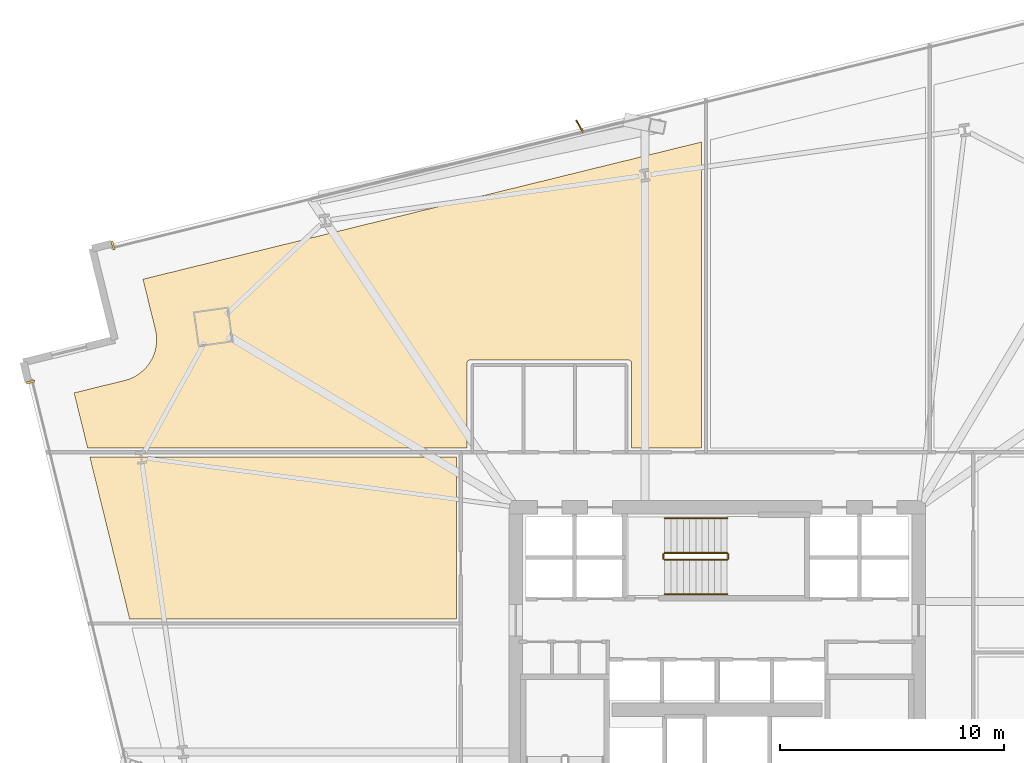
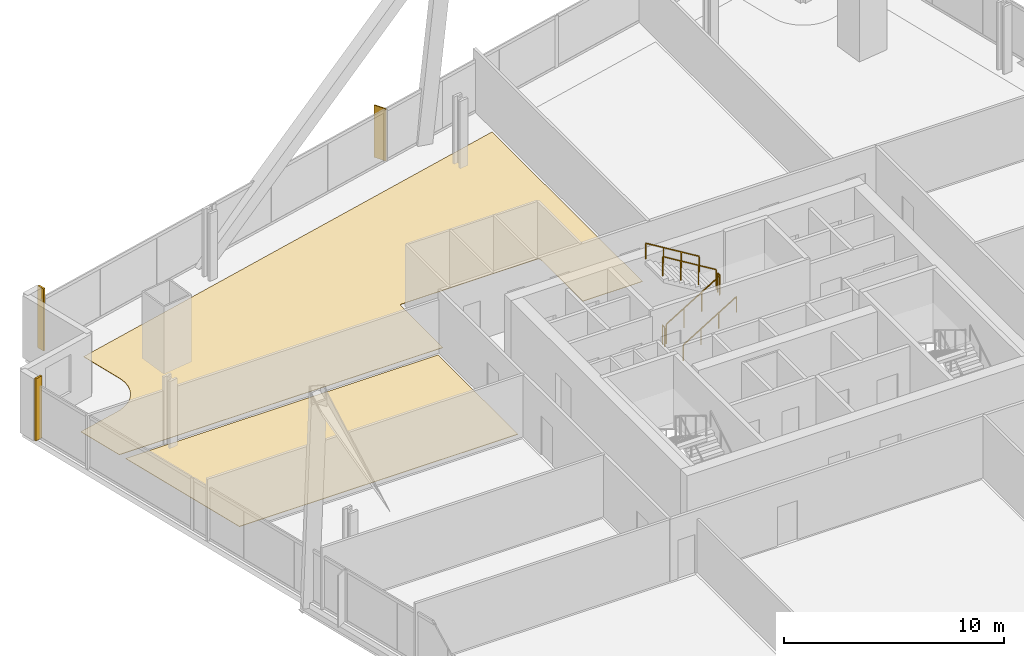
# One storey, part 31 of 32: 6 railings, 4 coverings, 1 shading device.
"""IFC4 building model written with IfcOpenShell, lengths in metres."""

from ifc_helpers import new_model, si_unit, direction, frame, origin, origin_2d, place, context, subcontext, project, spatial, polyline, rectangle, outline, extrude, source, transform, mapped, material, layer, layer_set, type_object, element, save


model = new_model("IFC4")

# Units and contexts
model_context = context("Model", 3, precision=1e-05, world=origin(), true_north=direction((0.0, 1.0)))
body_context = subcontext(model_context, "Body", "Model", "MODEL_VIEW")
ifc_project = project(units=[si_unit("LENGTHUNIT", "METRE"), si_unit("AREAUNIT", "SQUARE_METRE"), si_unit("VOLUMEUNIT", "CUBIC_METRE"), si_unit("PLANEANGLEUNIT", "RADIAN"), si_unit("MASSUNIT", "GRAM", prefix="KILO")], contexts=[model_context])

# Site, building, storey
site_placement = place(None, origin())
site = spatial("IfcSite", under=ifc_project, at=site_placement, CompositionType="ELEMENT")
building_placement = place(site_placement, origin())
building = spatial("IfcBuilding", under=site, at=building_placement, Name="Haldenkirk Collegiate Tower", CompositionType="ELEMENT")
storey_placement = place(building_placement, frame((0.0, 0.0, 73.949951171875)))
storey = spatial("IfcBuildingStorey", under=building, at=storey_placement, Name="L17", CompositionType="ELEMENT", Elevation=73.949951171875)

# Coverings
ifc_material_1 = material(Name="Polished collegiate terrazzo", Category="concrete")
ifc_layer_1 = layer(ifc_material_1, 0.02490234375)
ifc_layer_set_1 = layer_set([ifc_layer_1], Name="Polished collegiate terrazzo")
covering_type_1 = type_object("IfcCoveringType", Name="COV-FLOOR-TERRAZZO", PredefinedType="FLOORING", material=ifc_layer_set_1)
covering_1_placement = place(storey_placement, origin())
element("IfcCovering", 1, at=covering_1_placement, inside=storey, type_object=covering_type_1, Name="L17 academic room finish 10", PredefinedType="FLOORING", context=body_context, shape_type="SweptSolid", body=[
    extrude(outline(polyline([(7.9658203125, 36.25), (24.35009765625, 36.25), (24.35009765625, 29.0), (9.74658203125, 29.0), (7.9658203125, 36.25)])), origin(), (0.0, 0.0, 1.0), 0.025146484375),
])
ifc_material_2 = material(Name="Engineered collegiate oak acoustic flooring", Category="wood")
ifc_layer_2 = layer(ifc_material_2, 0.02197265625)
ifc_layer_set_2 = layer_set([ifc_layer_2], Name="Engineered collegiate oak acoustic flooring")
covering_type_2 = type_object("IfcCoveringType", Name="COV-FLOOR-TIMBER", PredefinedType="FLOORING", material=ifc_layer_set_2)
covering_2_placement = place(storey_placement, origin())
element("IfcCovering", 2, at=covering_2_placement, inside=storey, type_object=covering_type_2, Name="L17 academic room finish 05", PredefinedType="FLOORING", context=body_context, shape_type="SweptSolid", body=[
    extrude(outline(polyline([(9.527587890625, 39.659912109375), (9.533203125, 39.661376953125), (9.69775390625, 39.71044921875), (9.708984375, 39.71435546875), (9.867919921875, 39.779296875), (9.878662109375, 39.7841796875), (10.030517578125, 39.864501953125), (10.04052734375, 39.87060546875), (10.18359375, 39.96533203125), (10.193115234375, 39.972412109375), (10.326416015625, 40.080810546875), (10.335205078125, 40.088623046875), (10.457275390625, 40.20947265625), (10.465087890625, 40.21826171875), (10.57470703125, 40.350341796875), (10.581787109375, 40.35986328125), (10.677978515625, 40.502197265625), (10.68408203125, 40.51220703125), (10.765625, 40.6630859375), (10.7705078125, 40.673828125), (10.837158203125, 40.832275390625), (10.84130859375, 40.84326171875), (10.891845703125, 41.00732421875), (10.894775390625, 41.018798828125), (10.928955078125, 41.18701171875), (10.930908203125, 41.19873046875), (10.948486328125, 41.36962890625), (10.948974609375, 41.38134765625), (10.94970703125, 41.552978515625), (10.94921875, 41.56494140625), (10.93310546875, 41.73583984375), (10.931396484375, 41.747314453125), (10.898681640625, 41.916015625), (10.8974609375, 41.921875), (10.341796875, 44.1845703125), (35.300048828125, 50.31494140625), (35.300048828125, 36.64990234375), (32.169921875, 36.64990234375), (32.169921875, 40.449951171875), (32.16943359375, 40.4619140625), (32.167724609375, 40.473388671875), (32.164794921875, 40.48486328125), (32.160888671875, 40.495849609375), (32.15576171875, 40.506591796875), (32.14990234375, 40.5166015625), (32.142822265625, 40.526123046875), (32.135009765625, 40.534912109375), (32.126220703125, 40.542724609375), (32.11669921875, 40.5498046875), (32.106689453125, 40.555908203125), (32.095947265625, 40.560791015625), (32.084716796875, 40.564697265625), (32.073486328125, 40.567626953125), (32.061767578125, 40.5693359375), (32.050048828125, 40.570068359375), (24.949951171875, 40.570068359375), (24.938232421875, 40.5693359375), (24.926513671875, 40.567626953125), (24.915283203125, 40.564697265625), (24.904052734375, 40.560791015625), (24.893310546875, 40.555908203125), (24.88330078125, 40.5498046875), (24.873779296875, 40.542724609375), (24.864990234375, 40.534912109375), (24.857177734375, 40.526123046875), (24.85009765625, 40.5166015625), (24.84423828125, 40.506591796875), (24.839111328125, 40.495849609375), (24.835205078125, 40.48486328125), (24.832275390625, 40.473388671875), (24.83056640625, 40.4619140625), (24.830078125, 40.449951171875), (24.830078125, 36.64990234375), (7.867431640625, 36.64990234375), (7.264892578125, 39.10400390625), (9.527587890625, 39.659912109375)])), origin(), (0.0, 0.0, 1.0), 0.02197265625),
])

# Railings
ifc_material_3 = material(Name="Painted architectural tubular steel", Category="steel")
railing_type_1 = type_object("IfcRailingType", Name="RLG-STAIR-GUARD-1100", PredefinedType="BALUSTRADE", material=ifc_material_3)
railing_1_placement = place(storey_placement, frame((33.64990234375, 31.64990234375, 0.17041015625)))
element("IfcRailing", 3, at=railing_1_placement, inside=storey, type_object=railing_type_1, Name="L17 ST-3 stair guard 1", PredefinedType="BALUSTRADE", context=body_context, shape_type="SweptSolid", body=[
    extrude(rectangle(XDim=0.048095703125, YDim=0.048095703125, at=origin_2d()), frame((0.0, 0.0, 1.076171875), z_axis=(0.854169791009, 0.0, 0.51999420009), x_axis=(0.0, 1.0, 0.0)), (0.0, 0.0, 1.0), 3.278076171875),
    extrude(rectangle(XDim=0.0419921875, YDim=0.0419921875, at=origin_2d()), origin(), (0.0, 0.0, 1.0), 1.052001953125),
    extrude(rectangle(XDim=0.0419921875, YDim=0.0419921875, at=origin_2d()), frame((0.933349609375, 0.0, 0.568115234375)), (0.0, 0.0, 1.0), 1.052001953125),
    extrude(rectangle(XDim=0.0419921875, YDim=0.0419921875, at=origin_2d()), frame((1.86669921875, 0.0, 1.136474609375)), (0.0, 0.0, 1.0), 1.052001953125),
    extrude(rectangle(XDim=0.0419921875, YDim=0.0419921875, at=origin_2d()), frame((2.800048828125, 0.0, 1.70458984375)), (0.0, 0.0, 1.0), 1.052001953125),
])
railing_2_placement = place(storey_placement, frame((36.5, 31.699951171875, 1.875)))
element("IfcRailing", 4, at=railing_2_placement, inside=storey, type_object=railing_type_1, Name="L17 ST-3 stair guard 2", PredefinedType="BALUSTRADE", context=body_context, shape_type="SweptSolid", body=[
    extrude(rectangle(XDim=0.048095703125, YDim=0.048095703125, at=origin_2d()), frame((0.0, 0.0, 1.076171875), z_axis=(0.0, 1.0, 0.0), x_axis=(-1.0, 0.0, 0.0)), (0.0, 0.0, 1.0), 0.199951171875),
    extrude(rectangle(XDim=0.0419921875, YDim=0.0419921875, at=origin_2d()), origin(), (0.0, 0.0, 1.0), 1.052001953125),
    extrude(rectangle(XDim=0.0419921875, YDim=0.0419921875, at=origin_2d()), frame((0.0, 0.199951171875, 0.0)), (0.0, 0.0, 1.0), 1.052001953125),
])
railing_3_placement = place(storey_placement, frame((36.449951171875, 31.949951171875, 2.04541015625)))
element("IfcRailing", 5, at=railing_3_placement, inside=storey, type_object=railing_type_1, Name="L17 ST-3 stair guard 3", PredefinedType="BALUSTRADE", context=body_context, shape_type="SweptSolid", body=[
    extrude(rectangle(XDim=0.048095703125, YDim=0.048095703125, at=origin_2d()), frame((0.0, 0.0, 1.076171875), z_axis=(-0.854169791009, 0.0, 0.51999420009), x_axis=(0.0, -1.0, 0.0)), (0.0, 0.0, 1.0), 3.278076171875),
    extrude(rectangle(XDim=0.0419921875, YDim=0.0419921875, at=origin_2d()), origin(), (0.0, 0.0, 1.0), 1.052001953125),
    extrude(rectangle(XDim=0.0419921875, YDim=0.0419921875, at=origin_2d()), frame((-0.933349609375, 0.0, 0.568115234375)), (0.0, 0.0, 1.0), 1.052001953125),
    extrude(rectangle(XDim=0.0419921875, YDim=0.0419921875, at=origin_2d()), frame((-1.86669921875, 0.0, 1.136474609375)), (0.0, 0.0, 1.0), 1.052001953125),
    extrude(rectangle(XDim=0.0419921875, YDim=0.0419921875, at=origin_2d()), frame((-2.800048828125, 0.0, 1.70458984375)), (0.0, 0.0, 1.0), 1.052001953125),
])
railing_4_placement = place(storey_placement, frame((33.60009765625, 31.699951171875, 0.0)))
element("IfcRailing", 6, at=railing_4_placement, inside=storey, type_object=railing_type_1, Name="L17 ST-3 stair guard 4", PredefinedType="BALUSTRADE", context=body_context, shape_type="SweptSolid", body=[
    extrude(rectangle(XDim=0.048095703125, YDim=0.048095703125, at=origin_2d()), frame((0.0, 0.0, 1.076171875), z_axis=(0.0, 1.0, 0.0), x_axis=(-1.0, 0.0, 0.0)), (0.0, 0.0, 1.0), 0.199951171875),
    extrude(rectangle(XDim=0.0419921875, YDim=0.0419921875, at=origin_2d()), origin(), (0.0, 0.0, 1.0), 1.052001953125),
    extrude(rectangle(XDim=0.0419921875, YDim=0.0419921875, at=origin_2d()), frame((0.0, 0.199951171875, 0.0)), (0.0, 0.0, 1.0), 1.052001953125),
])
railing_type_2 = type_object("IfcRailingType", Name="RLG-STAIR-HANDRAIL-900", PredefinedType="HANDRAIL", material=ifc_material_3)
railing_5_placement = place(storey_placement, frame((33.64990234375, 30.10009765625, 0.17041015625)))
element("IfcRailing", 7, at=railing_5_placement, inside=storey, type_object=railing_type_2, Name="L17 ST-3 stair handrail 1", PredefinedType="HANDRAIL", context=body_context, shape_type="SweptSolid", body=[
    extrude(rectangle(XDim=0.048095703125, YDim=0.048095703125, at=origin_2d()), frame((0.0, 0.0, 0.8759765625), z_axis=(0.854169791009, 0.0, 0.51999420009), x_axis=(0.0, 1.0, 0.0)), (0.0, 0.0, 1.0), 3.278076171875),
    extrude(rectangle(XDim=0.0419921875, YDim=0.0419921875, at=origin_2d()), origin(), (0.0, 0.0, 1.0), 0.851806640625),
    extrude(rectangle(XDim=0.0419921875, YDim=0.0419921875, at=origin_2d()), frame((0.933349609375, 0.0, 0.568115234375)), (0.0, 0.0, 1.0), 0.851806640625),
    extrude(rectangle(XDim=0.0419921875, YDim=0.0419921875, at=origin_2d()), frame((1.86669921875, 0.0, 1.136474609375)), (0.0, 0.0, 1.0), 0.851806640625),
    extrude(rectangle(XDim=0.0419921875, YDim=0.0419921875, at=origin_2d()), frame((2.800048828125, 0.0, 1.70458984375)), (0.0, 0.0, 1.0), 0.851806640625),
])
railing_6_placement = place(storey_placement, frame((36.449951171875, 33.5, 2.04541015625)))
element("IfcRailing", 8, at=railing_6_placement, inside=storey, type_object=railing_type_2, Name="L17 ST-3 stair handrail 2", PredefinedType="HANDRAIL", context=body_context, shape_type="SweptSolid", body=[
    extrude(rectangle(XDim=0.048095703125, YDim=0.048095703125, at=origin_2d()), frame((0.0, 0.0, 0.8759765625), z_axis=(-0.854169791009, 0.0, 0.51999420009), x_axis=(0.0, -1.0, 0.0)), (0.0, 0.0, 1.0), 3.278076171875),
    extrude(rectangle(XDim=0.0419921875, YDim=0.0419921875, at=origin_2d()), origin(), (0.0, 0.0, 1.0), 0.851806640625),
    extrude(rectangle(XDim=0.0419921875, YDim=0.0419921875, at=origin_2d()), frame((-0.933349609375, 0.0, 0.568115234375)), (0.0, 0.0, 1.0), 0.851806640625),
    extrude(rectangle(XDim=0.0419921875, YDim=0.0419921875, at=origin_2d()), frame((-1.86669921875, 0.0, 1.136474609375)), (0.0, 0.0, 1.0), 0.851806640625),
    extrude(rectangle(XDim=0.0419921875, YDim=0.0419921875, at=origin_2d()), frame((-2.800048828125, 0.0, 1.70458984375)), (0.0, 0.0, 1.0), 0.851806640625),
])

# Coverings
ifc_material_4 = material(Name="Anodised architectural bronze aluminium", Category="aluminium")
ifc_layer_3 = layer(ifc_material_4, 0.06005859375)
ifc_layer_set_3 = layer_set([ifc_layer_3], Name="Anodised architectural bronze aluminium")
covering_type_3 = type_object("IfcCoveringType", Name="COV-CLAD-BRONZE-60", PredefinedType="CLADDING", material=ifc_layer_set_3)
shared_shape_1 = source(origin(), body_context, "Body", "SweptSolid", [
    extrude(rectangle(XDim=0.10009765625, YDim=0.3798828125, at=origin_2d()), origin(), (0.0, 0.0, 1.0), 3.43994140625),
])
for number, where, z_axis, x_axis, name in (
    (9, (9.00439453125, 45.68896484375, 0.0), (0.0, 0.0, 1.0), (0.97113427991, 0.238533457579, 0.0), "L17 recessed curtain-wall bronze jamb closure NJL"),
    (10, (5.31201171875, 39.59228515625, 0.0), (0.0, 0.0, 1.0), (-0.238533457579, 0.97113427991, 0.0), "L17 recessed curtain-wall bronze jamb closure WJR"),
):
    element("IfcCovering", number, at=place(storey_placement, frame(where, z_axis=z_axis, x_axis=x_axis)), inside=storey, type_object=covering_type_3, Name=name, PredefinedType="CLADDING", context=body_context, shape_type="MappedRepresentation", body=[
        mapped(shared_shape_1, transform((0.0, 0.0, 0.0), x_axis=(1.0, 0.0, 0.0), y_axis=(0.0, 1.0, 0.0), z_axis=(0.0, 0.0, 1.0), scale=1.0)),
    ])

# Shading device
ifc_layer_4 = layer(ifc_material_4, 0.06494140625)
ifc_layer_set_4 = layer_set([ifc_layer_4], Name="Anodised architectural bronze aluminium")
shading_device_type = type_object("IfcShadingDeviceType", Name="SHD-FIN-BRONZE-620", PredefinedType="USERDEFINED", material=ifc_layer_set_4)
shared_shape_2 = source(origin(), body_context, "Body", "SweptSolid", [
    extrude(rectangle(XDim=0.6201171875, YDim=0.06494140625, at=origin_2d()), origin(), (0.0, 0.0, 1.0), 2.89111328125),
])
shading_device_placement = place(storey_placement, frame((29.854248046875, 51.021240234375, 0.0), z_axis=(0.0, 0.0, 1.0), x_axis=(-0.496973961028, 0.867765453369, 0.0)))
element("IfcShadingDevice", 11, at=shading_device_placement, inside=storey, type_object=shading_device_type, Name="L17 folded bronze solar fin 1", ObjectType="FIN", PredefinedType="USERDEFINED", context=body_context, shape_type="MappedRepresentation", body=[
    mapped(shared_shape_2, transform((0.0, 0.0, 0.0), x_axis=(1.0, 0.0, 0.0), y_axis=(0.0, 1.0, 0.0), z_axis=(0.0, 0.0, 1.0), scale=1.0)),
])

save(model, "model.ifc")
